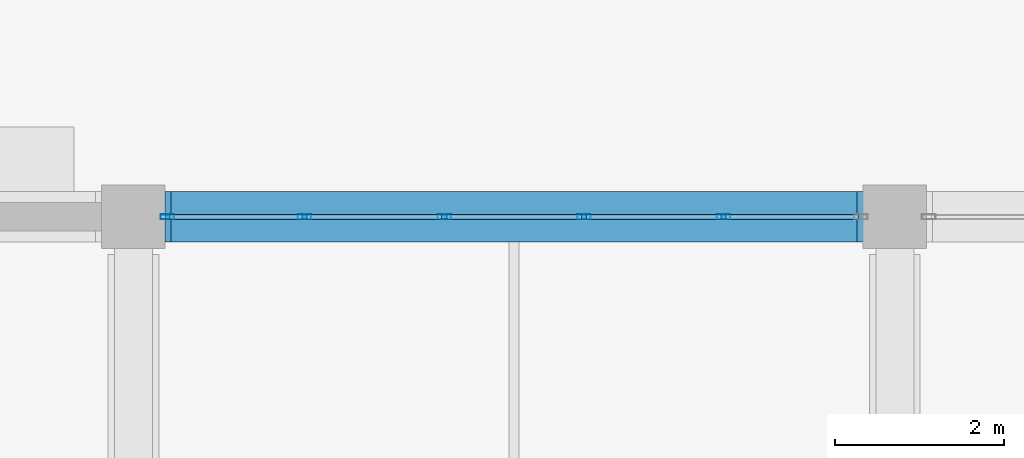
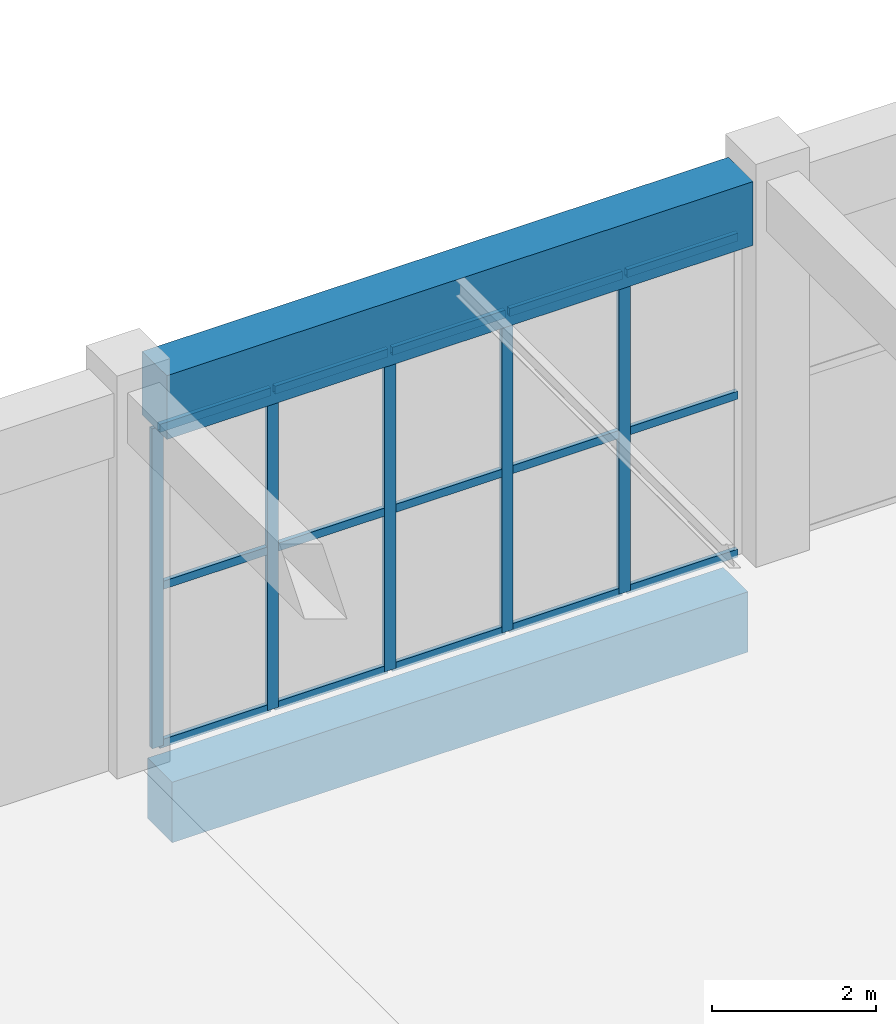
# One storey, part 18 of 91: 20 members, 2 beams, 1 element without a shape of its own.
"""IFC4 building model written with IfcOpenShell, lengths in metres."""

from ifc_helpers import new_model, si_unit, direction, frame, origin, origin_2d, place, context, subcontext, project, spatial, rectangle, hollow_rectangle, extrude, material, layer, layer_set, material_profile, profile_set, type_object, element, aggregate, save


model = new_model("IFC4")

# Units and contexts
model_context = context("Model", 3, precision=1e-05, world=origin(), true_north=direction((0.0, 1.0)))
body_context = subcontext(model_context, "Body", "Model", "MODEL_VIEW")
ifc_project = project(units=[si_unit("LENGTHUNIT", "METRE"), si_unit("AREAUNIT", "SQUARE_METRE"), si_unit("VOLUMEUNIT", "CUBIC_METRE"), si_unit("PLANEANGLEUNIT", "RADIAN"), si_unit("MASSUNIT", "GRAM", prefix="KILO")], contexts=[model_context])

# Site, building, storey
site_placement = place(None, origin())
site = spatial("IfcSite", under=ifc_project, at=site_placement, CompositionType="ELEMENT")
building_placement = place(site_placement, origin())
building = spatial("IfcBuilding", under=site, at=building_placement, Name="Dornveld Trade and Exhibition Forum", CompositionType="ELEMENT")
storey_placement = place(building_placement, origin())
storey = spatial("IfcBuildingStorey", under=building, at=storey_placement, Name="L00", CompositionType="ELEMENT", Elevation=0.0)

# Beams
ifc_material_1 = material(Name="Concrete C40/50", Category="concrete")
ifc_material_profile_1 = material_profile(ifc_material_1, rectangle(XDim=0.60009765625, YDim=0.89990234375, at=origin_2d()), Name="RC-GB 600x900")
ifc_profile_set_1 = profile_set([ifc_material_profile_1], Name="Concrete C40/50")
beam_type_1 = type_object("IfcBeamType", Name="BM-GB-600x900", PredefinedType="BEAM", material=ifc_profile_set_1)
beam_1_placement = place(storey_placement, frame((216.446044921875, 54.0, -0.830078125), z_axis=(1.0, 0.0, 0.0), x_axis=(0.0, 1.0, 0.0)))
element("IfcBeam", 1, at=beam_1_placement, inside=storey, type_object=beam_type_1, Name="L00 X-girder 609", PredefinedType="BEAM", context=body_context, shape_type="SweptSolid", body=[
    extrude(rectangle(XDim=0.60009765625, YDim=0.89990234375, at=origin_2d()), origin(), (0.0, 0.0, 1.0), 8.10791015625),
])
ifc_material_2 = material(Name="Precast concrete C50/60", Category="concrete")
ifc_material_profile_2 = material_profile(ifc_material_2, rectangle(XDim=0.60009765625, YDim=0.949951171875, at=origin_2d()), Name="PC-GIR 600x950")
ifc_profile_set_2 = profile_set([ifc_material_profile_2], Name="Precast concrete C50/60")
beam_type_2 = type_object("IfcBeamType", Name="BM-PC-600x950", PredefinedType="T_BEAM", material=ifc_profile_set_2)
beam_2_placement = place(storey_placement, frame((216.37109375, 54.0, 5.22509765625), z_axis=(1.0, 0.0, 0.0), x_axis=(0.0, 1.0, 0.0)))
element("IfcBeam", 2, at=beam_2_placement, inside=storey, type_object=beam_type_2, Name="L00 X-girder 902", PredefinedType="T_BEAM", context=body_context, shape_type="SweptSolid", body=[
    extrude(rectangle(XDim=0.60009765625, YDim=0.949951171875, at=origin_2d()), origin(), (0.0, 0.0, 1.0), 8.2578125),
])

# Curtain wall, members
ifc_material_3 = material(Name="Dark-bronze anodised aluminium and low-E glass", Category="aluminium")
ifc_layer = layer(ifc_material_3, 0.180908203125)
ifc_layer_set = layer_set([ifc_layer], Name="Dark-bronze anodised aluminium and low-E glass")
curtain_wall_type = type_object("IfcCurtainWallType", Name="CW-SYS-13", PredefinedType="USERDEFINED", material=ifc_layer_set)
curtain_wall_placement = place(storey_placement, origin())
curtain_wall = element("IfcCurtainWall", 3, at=curtain_wall_placement, inside=storey, type_object=curtain_wall_type, Name="L00 unitised curtain wall 85", ObjectType="UNITISED_CURTAIN_WALL", PredefinedType="USERDEFINED")
ifc_material_4 = material(Name="Dark-bronze anodised aluminium", Category="aluminium")
ifc_material_profile_3 = material_profile(ifc_material_4, hollow_rectangle(XDim=0.06005859375, YDim=0.159912109375, WallThickness=0.00390625, at=origin_2d()), Name="RHS 160x60x4")
ifc_profile_set_3 = profile_set([ifc_material_profile_3], Name="Dark-bronze anodised aluminium")
member_type_1 = type_object("IfcMemberType", Name="CW-MUL-160", PredefinedType="MULLION", material=ifc_profile_set_3)
member_1_placement = place(storey_placement, frame((222.977294921875, 54.0, -0.00390625), z_axis=(0.0, 0.0, 1.0), x_axis=(0.0, -1.0, 0.0)))
member_1 = element("IfcMember", 4, at=member_1_placement, type_object=member_type_1, Name="CW-13 mullion 2", PredefinedType="MULLION", context=body_context, shape_type="SweptSolid", body=[
    extrude(hollow_rectangle(XDim=0.06005859375, YDim=0.159912109375, WallThickness=0.00390625, at=origin_2d()), origin(), (0.0, 0.0, 1.0), 4.763916015625),
])
member_2_placement = place(storey_placement, frame((221.32568359375, 54.0, -0.00390625), z_axis=(0.0, 0.0, 1.0), x_axis=(0.0, -1.0, 0.0)))
member_2 = element("IfcMember", 5, at=member_2_placement, type_object=member_type_1, Name="CW-13 mullion 3", PredefinedType="MULLION", context=body_context, shape_type="SweptSolid", body=[
    extrude(hollow_rectangle(XDim=0.06005859375, YDim=0.159912109375, WallThickness=0.00390625, at=origin_2d()), origin(), (0.0, 0.0, 1.0), 4.763916015625),
])
member_3_placement = place(storey_placement, frame((219.67431640625, 54.0, -0.00390625), z_axis=(0.0, 0.0, 1.0), x_axis=(0.0, -1.0, 0.0)))
member_3 = element("IfcMember", 6, at=member_3_placement, type_object=member_type_1, Name="CW-13 mullion 4", PredefinedType="MULLION", context=body_context, shape_type="SweptSolid", body=[
    extrude(hollow_rectangle(XDim=0.06005859375, YDim=0.159912109375, WallThickness=0.00390625, at=origin_2d()), origin(), (0.0, 0.0, 1.0), 4.763916015625),
])
member_4_placement = place(storey_placement, frame((218.022705078125, 54.0, -0.00390625), z_axis=(0.0, 0.0, 1.0), x_axis=(0.0, -1.0, 0.0)))
member_4 = element("IfcMember", 7, at=member_4_placement, type_object=member_type_1, Name="CW-13 mullion 5", PredefinedType="MULLION", context=body_context, shape_type="SweptSolid", body=[
    extrude(hollow_rectangle(XDim=0.06005859375, YDim=0.159912109375, WallThickness=0.00390625, at=origin_2d()), origin(), (0.0, 0.0, 1.0), 4.763916015625),
])
member_5_placement = place(storey_placement, frame((216.40087890625, 54.0, -0.00390625), z_axis=(0.0, 0.0, 1.0), x_axis=(0.0, -1.0, 0.0)))
member_5 = element("IfcMember", 8, at=member_5_placement, type_object=member_type_1, Name="CW-13 mullion 6", PredefinedType="MULLION", context=body_context, shape_type="SweptSolid", body=[
    extrude(hollow_rectangle(XDim=0.06005859375, YDim=0.159912109375, WallThickness=0.00390625, at=origin_2d()), origin(), (0.0, 0.0, 1.0), 4.763916015625),
])
ifc_material_5 = material(Name="Dark-bronze anodised aluminium", Category="aluminium")
ifc_material_profile_4 = material_profile(ifc_material_5, hollow_rectangle(XDim=0.06005859375, YDim=0.1201171875, WallThickness=0.00390625, at=origin_2d()), Name="RHS 120x60x4")
ifc_profile_set_4 = profile_set([ifc_material_profile_4], Name="Dark-bronze anodised aluminium")
member_type_2 = type_object("IfcMemberType", Name="CW-TRN-120", PredefinedType="USERDEFINED", material=ifc_profile_set_4)
member_6_placement = place(storey_placement, frame((224.569091796875, 54.0, 0.02587890625), z_axis=(-1.0, 0.0, 0.0), x_axis=(0.0, -1.0, 0.0)))
member_6 = element("IfcMember", 9, at=member_6_placement, type_object=member_type_2, Name="CW-13 transom 1.1", ObjectType="TRANSOM", PredefinedType="USERDEFINED", context=body_context, shape_type="SweptSolid", body=[
    extrude(hollow_rectangle(XDim=0.06005859375, YDim=0.1201171875, WallThickness=0.00390625, at=origin_2d()), origin(), (0.0, 0.0, 1.0), 1.561767578125),
])
member_7_placement = place(storey_placement, frame((224.569091796875, 54.0, 2.3779296875), z_axis=(-1.0, 0.0, 0.0), x_axis=(0.0, -1.0, 0.0)))
member_7 = element("IfcMember", 10, at=member_7_placement, type_object=member_type_2, Name="CW-13 transom 1.2", ObjectType="TRANSOM", PredefinedType="USERDEFINED", context=body_context, shape_type="SweptSolid", body=[
    extrude(hollow_rectangle(XDim=0.06005859375, YDim=0.1201171875, WallThickness=0.00390625, at=origin_2d()), origin(), (0.0, 0.0, 1.0), 1.561767578125),
])
member_8_placement = place(storey_placement, frame((224.569091796875, 54.0, 4.72998046875), z_axis=(-1.0, 0.0, 0.0), x_axis=(0.0, -1.0, 0.0)))
member_8 = element("IfcMember", 11, at=member_8_placement, type_object=member_type_2, Name="CW-13 transom 1.3", ObjectType="TRANSOM", PredefinedType="USERDEFINED", context=body_context, shape_type="SweptSolid", body=[
    extrude(hollow_rectangle(XDim=0.06005859375, YDim=0.1201171875, WallThickness=0.00390625, at=origin_2d()), origin(), (0.0, 0.0, 1.0), 1.561767578125),
])
member_9_placement = place(storey_placement, frame((222.947509765625, 54.0, 0.02587890625), z_axis=(-1.0, 0.0, 0.0), x_axis=(0.0, -1.0, 0.0)))
member_9 = element("IfcMember", 12, at=member_9_placement, type_object=member_type_2, Name="CW-13 transom 2.1", ObjectType="TRANSOM", PredefinedType="USERDEFINED", context=body_context, shape_type="SweptSolid", body=[
    extrude(hollow_rectangle(XDim=0.06005859375, YDim=0.1201171875, WallThickness=0.00390625, at=origin_2d()), origin(), (0.0, 0.0, 1.0), 1.591796875),
])
member_10_placement = place(storey_placement, frame((222.947509765625, 54.0, 2.3779296875), z_axis=(-1.0, 0.0, 0.0), x_axis=(0.0, -1.0, 0.0)))
member_10 = element("IfcMember", 13, at=member_10_placement, type_object=member_type_2, Name="CW-13 transom 2.2", ObjectType="TRANSOM", PredefinedType="USERDEFINED", context=body_context, shape_type="SweptSolid", body=[
    extrude(hollow_rectangle(XDim=0.06005859375, YDim=0.1201171875, WallThickness=0.00390625, at=origin_2d()), origin(), (0.0, 0.0, 1.0), 1.591796875),
])
member_11_placement = place(storey_placement, frame((222.947509765625, 54.0, 4.72998046875), z_axis=(-1.0, 0.0, 0.0), x_axis=(0.0, -1.0, 0.0)))
member_11 = element("IfcMember", 14, at=member_11_placement, type_object=member_type_2, Name="CW-13 transom 2.3", ObjectType="TRANSOM", PredefinedType="USERDEFINED", context=body_context, shape_type="SweptSolid", body=[
    extrude(hollow_rectangle(XDim=0.06005859375, YDim=0.1201171875, WallThickness=0.00390625, at=origin_2d()), origin(), (0.0, 0.0, 1.0), 1.591796875),
])
member_12_placement = place(storey_placement, frame((221.2958984375, 54.0, 0.02587890625), z_axis=(-1.0, 0.0, 0.0), x_axis=(0.0, -1.0, 0.0)))
member_12 = element("IfcMember", 15, at=member_12_placement, type_object=member_type_2, Name="CW-13 transom 3.1", ObjectType="TRANSOM", PredefinedType="USERDEFINED", context=body_context, shape_type="SweptSolid", body=[
    extrude(hollow_rectangle(XDim=0.06005859375, YDim=0.1201171875, WallThickness=0.00390625, at=origin_2d()), origin(), (0.0, 0.0, 1.0), 1.591796875),
])
member_13_placement = place(storey_placement, frame((221.2958984375, 54.0, 2.3779296875), z_axis=(-1.0, 0.0, 0.0), x_axis=(0.0, -1.0, 0.0)))
member_13 = element("IfcMember", 16, at=member_13_placement, type_object=member_type_2, Name="CW-13 transom 3.2", ObjectType="TRANSOM", PredefinedType="USERDEFINED", context=body_context, shape_type="SweptSolid", body=[
    extrude(hollow_rectangle(XDim=0.06005859375, YDim=0.1201171875, WallThickness=0.00390625, at=origin_2d()), origin(), (0.0, 0.0, 1.0), 1.591796875),
])
member_14_placement = place(storey_placement, frame((221.2958984375, 54.0, 4.72998046875), z_axis=(-1.0, 0.0, 0.0), x_axis=(0.0, -1.0, 0.0)))
member_14 = element("IfcMember", 17, at=member_14_placement, type_object=member_type_2, Name="CW-13 transom 3.3", ObjectType="TRANSOM", PredefinedType="USERDEFINED", context=body_context, shape_type="SweptSolid", body=[
    extrude(hollow_rectangle(XDim=0.06005859375, YDim=0.1201171875, WallThickness=0.00390625, at=origin_2d()), origin(), (0.0, 0.0, 1.0), 1.591796875),
])
member_15_placement = place(storey_placement, frame((219.644287109375, 54.0, 0.02587890625), z_axis=(-1.0, 0.0, 0.0), x_axis=(0.0, -1.0, 0.0)))
member_15 = element("IfcMember", 18, at=member_15_placement, type_object=member_type_2, Name="CW-13 transom 4.1", ObjectType="TRANSOM", PredefinedType="USERDEFINED", context=body_context, shape_type="SweptSolid", body=[
    extrude(hollow_rectangle(XDim=0.06005859375, YDim=0.1201171875, WallThickness=0.00390625, at=origin_2d()), origin(), (0.0, 0.0, 1.0), 1.591796875),
])
member_16_placement = place(storey_placement, frame((219.644287109375, 54.0, 2.3779296875), z_axis=(-1.0, 0.0, 0.0), x_axis=(0.0, -1.0, 0.0)))
member_16 = element("IfcMember", 19, at=member_16_placement, type_object=member_type_2, Name="CW-13 transom 4.2", ObjectType="TRANSOM", PredefinedType="USERDEFINED", context=body_context, shape_type="SweptSolid", body=[
    extrude(hollow_rectangle(XDim=0.06005859375, YDim=0.1201171875, WallThickness=0.00390625, at=origin_2d()), origin(), (0.0, 0.0, 1.0), 1.591796875),
])
member_17_placement = place(storey_placement, frame((219.644287109375, 54.0, 4.72998046875), z_axis=(-1.0, 0.0, 0.0), x_axis=(0.0, -1.0, 0.0)))
member_17 = element("IfcMember", 20, at=member_17_placement, type_object=member_type_2, Name="CW-13 transom 4.3", ObjectType="TRANSOM", PredefinedType="USERDEFINED", context=body_context, shape_type="SweptSolid", body=[
    extrude(hollow_rectangle(XDim=0.06005859375, YDim=0.1201171875, WallThickness=0.00390625, at=origin_2d()), origin(), (0.0, 0.0, 1.0), 1.591796875),
])
member_18_placement = place(storey_placement, frame((217.99267578125, 54.0, 0.02587890625), z_axis=(-1.0, 0.0, 0.0), x_axis=(0.0, -1.0, 0.0)))
member_18 = element("IfcMember", 21, at=member_18_placement, type_object=member_type_2, Name="CW-13 transom 5.1", ObjectType="TRANSOM", PredefinedType="USERDEFINED", context=body_context, shape_type="SweptSolid", body=[
    extrude(hollow_rectangle(XDim=0.06005859375, YDim=0.1201171875, WallThickness=0.00390625, at=origin_2d()), origin(), (0.0, 0.0, 1.0), 1.561767578125),
])
member_19_placement = place(storey_placement, frame((217.99267578125, 54.0, 2.3779296875), z_axis=(-1.0, 0.0, 0.0), x_axis=(0.0, -1.0, 0.0)))
member_19 = element("IfcMember", 22, at=member_19_placement, type_object=member_type_2, Name="CW-13 transom 5.2", ObjectType="TRANSOM", PredefinedType="USERDEFINED", context=body_context, shape_type="SweptSolid", body=[
    extrude(hollow_rectangle(XDim=0.06005859375, YDim=0.1201171875, WallThickness=0.00390625, at=origin_2d()), origin(), (0.0, 0.0, 1.0), 1.561767578125),
])
member_20_placement = place(storey_placement, frame((217.99267578125, 54.0, 4.72998046875), z_axis=(-1.0, 0.0, 0.0), x_axis=(0.0, -1.0, 0.0)))
member_20 = element("IfcMember", 23, at=member_20_placement, type_object=member_type_2, Name="CW-13 transom 5.3", ObjectType="TRANSOM", PredefinedType="USERDEFINED", context=body_context, shape_type="SweptSolid", body=[
    extrude(hollow_rectangle(XDim=0.06005859375, YDim=0.1201171875, WallThickness=0.00390625, at=origin_2d()), origin(), (0.0, 0.0, 1.0), 1.561767578125),
])
aggregate(curtain_wall, [member_1, member_2, member_3, member_4, member_5, member_6, member_7, member_8, member_9, member_10, member_11, member_12, member_13, member_14, member_15, member_16, member_17, member_18, member_19, member_20])

save(model, "model.ifc")
